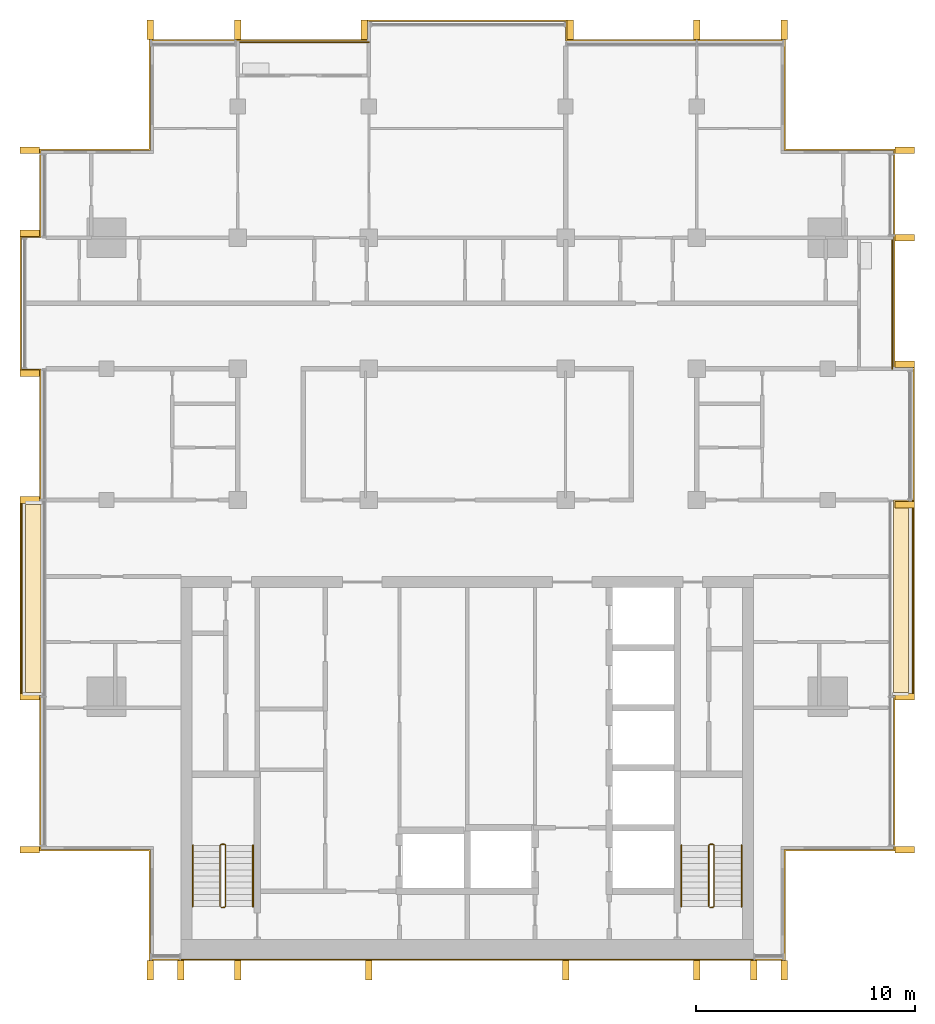
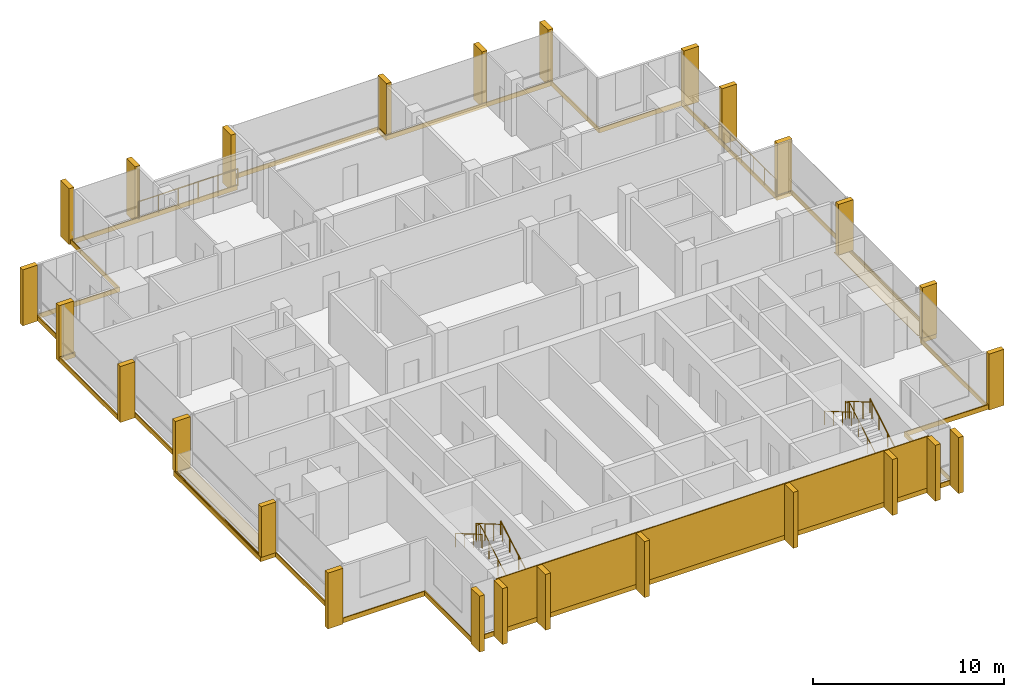
# One storey, part 16 of 16: 26 shading devices, 10 coverings, 8 railings.
"""IFC4 building model written with IfcOpenShell, lengths in metres."""

from ifc_helpers import new_model, si_unit, direction, frame, origin, origin_2d, place, context, subcontext, project, spatial, polyline, rectangle, circle, outline, extrude, material, layer, layer_set, type_object, element, save


model = new_model("IFC4")

# Units and contexts
model_context = context("Model", 3, precision=1e-05, world=origin(), true_north=direction((0.0, 1.0)))
body_context = subcontext(model_context, "Body", "Model", "MODEL_VIEW")
ifc_project = project(units=[si_unit("LENGTHUNIT", "METRE"), si_unit("AREAUNIT", "SQUARE_METRE"), si_unit("VOLUMEUNIT", "CUBIC_METRE"), si_unit("PLANEANGLEUNIT", "RADIAN"), si_unit("MASSUNIT", "GRAM", prefix="KILO")], contexts=[model_context])

# Site, building, storey
site_placement = place(None, origin())
site = spatial("IfcSite", under=ifc_project, at=site_placement, CompositionType="ELEMENT")
building_placement = place(site_placement, origin())
building = spatial("IfcBuilding", under=site, at=building_placement, Name="Finial Court Residences", CompositionType="ELEMENT")
storey_placement = place(building_placement, frame((0.0, 0.0, 280.699951171875)))
storey = spatial("IfcBuildingStorey", under=building, at=storey_placement, Name="L71", CompositionType="ELEMENT", Elevation=280.699951171875)

# Railings
ifc_material_1 = material(Name="Bronze anodised aluminium", Category="aluminium")
railing_type_1 = type_object("IfcRailingType", Name="Balcony guard 1100", PredefinedType="GUARDRAIL", material=ifc_material_1)
railing_1_placement = place(storey_placement, frame((-10.5, 16.449951171875, 0.0)))
element("IfcRailing", 1, at=railing_1_placement, inside=storey, type_object=railing_type_1, Name="E-L71-BALN2-R", PredefinedType="GUARDRAIL", context=body_context, shape_type="SweptSolid", body=[
    extrude(circle(Radius=0.02392578125, at=origin_2d()), frame((0.0, 0.0, 1.076171875), z_axis=(1.0, 0.0, 0.0), x_axis=(0.0, 1.0, 0.0)), (0.0, 0.0, 1.0), 6.0),
    extrude(circle(Radius=0.02099609375, at=origin_2d()), origin(), (0.0, 0.0, 1.0), 1.052001953125),
    extrude(circle(Radius=0.02099609375, at=origin_2d()), frame((1.199951171875, 0.0, 0.0)), (0.0, 0.0, 1.0), 1.052001953125),
    extrude(circle(Radius=0.02099609375, at=origin_2d()), frame((2.39990234375, 0.0, 0.0)), (0.0, 0.0, 1.0), 1.052001953125),
    extrude(circle(Radius=0.02099609375, at=origin_2d()), frame((3.60009765625, 0.0, 0.0)), (0.0, 0.0, 1.0), 1.052001953125),
    extrude(circle(Radius=0.02099609375, at=origin_2d()), frame((4.800048828125, 0.0, 0.0)), (0.0, 0.0, 1.0), 1.052001953125),
    extrude(circle(Radius=0.02099609375, at=origin_2d()), frame((6.0, 0.0, 0.0)), (0.0, 0.0, 1.0), 1.052001953125),
])
railing_2_placement = place(storey_placement, frame((19.449951171875, 1.5, 0.0)))
element("IfcRailing", 2, at=railing_2_placement, inside=storey, type_object=railing_type_1, Name="E-L71-BALE4-R", PredefinedType="GUARDRAIL", context=body_context, shape_type="SweptSolid", body=[
    extrude(circle(Radius=0.02392578125, at=origin_2d()), frame((0.0, 0.0, 1.076171875), z_axis=(0.0, 1.0, 0.0), x_axis=(-1.0, 0.0, 0.0)), (0.0, 0.0, 1.0), 6.0),
    extrude(circle(Radius=0.02099609375, at=origin_2d()), origin(), (0.0, 0.0, 1.0), 1.052001953125),
    extrude(circle(Radius=0.02099609375, at=origin_2d()), frame((0.0, 1.199951171875, 0.0)), (0.0, 0.0, 1.0), 1.052001953125),
    extrude(circle(Radius=0.02099609375, at=origin_2d()), frame((0.0, 2.39990234375, 0.0)), (0.0, 0.0, 1.0), 1.052001953125),
    extrude(circle(Radius=0.02099609375, at=origin_2d()), frame((0.0, 3.60009765625, 0.0)), (0.0, 0.0, 1.0), 1.052001953125),
    extrude(circle(Radius=0.02099609375, at=origin_2d()), frame((0.0, 4.800048828125, 0.0)), (0.0, 0.0, 1.0), 1.052001953125),
    extrude(circle(Radius=0.02099609375, at=origin_2d()), frame((0.0, 6.0, 0.0)), (0.0, 0.0, 1.0), 1.052001953125),
])

# Coverings
ifc_material_2 = material(Name="Natural limestone", Category="masonry")
ifc_layer_1 = layer(ifc_material_2, 0.06005859375)
ifc_layer_set_1 = layer_set([ifc_layer_1], Name="Limestone cladding to the blind core face 60")
covering_type_1 = type_object("IfcCoveringType", Name="Limestone cladding to the blind core face 60", PredefinedType="CLADDING", material=ifc_layer_set_1)
covering_1_placement = place(storey_placement, origin())
element("IfcCovering", 3, at=covering_1_placement, inside=storey, type_object=covering_type_1, Name="E-L71-CLAD1", PredefinedType="CLADDING", context=body_context, shape_type="SweptSolid", body=[
    extrude(outline(polyline([(-10.5, -25.56005859375), (-10.5, -25.5), (-13.10009765625, -25.5), (-13.10009765625, -25.56005859375), (-10.5, -25.56005859375)])), origin(), (0.0, 0.0, 1.0), 3.300048828125),
])
covering_2_placement = place(storey_placement, origin())
element("IfcCovering", 4, at=covering_2_placement, inside=storey, type_object=covering_type_1, Name="E-L71-CLAD2", PredefinedType="CLADDING", context=body_context, shape_type="SweptSolid", body=[
    extrude(outline(polyline([(-4.5, -25.56005859375), (-4.5, -25.5), (-10.5, -25.5), (-10.5, -25.56005859375), (-4.5, -25.56005859375)])), origin(), (0.0, 0.0, 1.0), 3.300048828125),
])
covering_3_placement = place(storey_placement, origin())
element("IfcCovering", 5, at=covering_3_placement, inside=storey, type_object=covering_type_1, Name="E-L71-CLAD3", PredefinedType="CLADDING", context=body_context, shape_type="SweptSolid", body=[
    extrude(outline(polyline([(4.5, -25.56005859375), (4.5, -25.5), (-4.5, -25.5), (-4.5, -25.56005859375), (4.5, -25.56005859375)])), origin(), (0.0, 0.0, 1.0), 3.300048828125),
])
covering_4_placement = place(storey_placement, origin())
element("IfcCovering", 6, at=covering_4_placement, inside=storey, type_object=covering_type_1, Name="E-L71-CLAD4", PredefinedType="CLADDING", context=body_context, shape_type="SweptSolid", body=[
    extrude(outline(polyline([(10.5, -25.56005859375), (10.5, -25.5), (4.5, -25.5), (4.5, -25.56005859375), (10.5, -25.56005859375)])), origin(), (0.0, 0.0, 1.0), 3.300048828125),
])
covering_5_placement = place(storey_placement, origin())
element("IfcCovering", 7, at=covering_5_placement, inside=storey, type_object=covering_type_1, Name="E-L71-CLAD5", PredefinedType="CLADDING", context=body_context, shape_type="SweptSolid", body=[
    extrude(outline(polyline([(13.10009765625, -25.56005859375), (13.10009765625, -25.5), (10.5, -25.5), (10.5, -25.56005859375), (13.10009765625, -25.56005859375)])), origin(), (0.0, 0.0, 1.0), 3.300048828125),
])

# Shading devices
shading_device_type = type_object("IfcShadingDeviceType", Name="Limestone fin 300 x 900", PredefinedType="USERDEFINED", material=ifc_material_2)
for number, where, z_axis, x_axis, name in (
    (8, (-14.5, 17.010009765625, -0.300048828125), (0.0, 0.0, 1.0), (1.0, 0.0, 0.0), "E-L71-FIN-N1"),
    (9, (-10.5, 17.010009765625, -0.300048828125), (0.0, 0.0, 1.0), (1.0, 0.0, 0.0), "E-L71-FIN-N2"),
    (10, (-4.7099609375, 17.010009765625, -0.300048828125), (0.0, 0.0, 1.0), (1.0, 0.0, 0.0), "E-L71-FIN-N3"),
    (11, (4.7099609375, 17.010009765625, -0.300048828125), (0.0, 0.0, 1.0), (1.0, 0.0, 0.0), "E-L71-FIN-N4"),
    (12, (10.5, 17.010009765625, -0.300048828125), (0.0, 0.0, 1.0), (1.0, 0.0, 0.0), "E-L71-FIN-N5"),
    (13, (14.5, 17.010009765625, -0.300048828125), (0.0, 0.0, 1.0), (1.0, 0.0, 0.0), "E-L71-FIN-N6"),
):
    element("IfcShadingDevice", number, at=place(storey_placement, frame(where, z_axis=z_axis, x_axis=x_axis)), inside=storey, type_object=shading_device_type, Name=name, ObjectType="FIN", PredefinedType="USERDEFINED", context=body_context, shape_type="SweptSolid", body=[
        extrude(rectangle(XDim=0.300048828125, YDim=0.89990234375, at=origin_2d()), origin(), (0.0, 0.0, 1.0), 3.580078125),
    ])
shading_device_1_placement = place(storey_placement, frame((20.010009765625, -20.5, -0.300048828125), z_axis=(0.0, 0.0, 1.0), x_axis=(1.0, 0.0, 0.0)))
element("IfcShadingDevice", 14, at=shading_device_1_placement, inside=storey, type_object=shading_device_type, Name="E-L71-FIN-E7", ObjectType="FIN", PredefinedType="USERDEFINED", context=body_context, shape_type="SweptSolid", body=[
    extrude(rectangle(XDim=0.89990234375, YDim=0.300048828125, at=origin_2d()), origin(), (0.0, 0.0, 1.0), 3.580078125),
])
for number, where, z_axis, x_axis, name in (
    (15, (20.010009765625, -13.5, 0.0400390625), (0.0, 0.0, 1.0), (1.0, 0.0, 0.0), "E-L71-FIN-E8"),
    (16, (20.010009765625, -4.7099609375, 0.0400390625), (0.0, 0.0, 1.0), (1.0, 0.0, 0.0), "E-L71-FIN-E9"),
):
    element("IfcShadingDevice", number, at=place(storey_placement, frame(where, z_axis=z_axis, x_axis=x_axis)), inside=storey, type_object=shading_device_type, Name=name, ObjectType="FIN", PredefinedType="USERDEFINED", context=body_context, shape_type="SweptSolid", body=[
        extrude(rectangle(XDim=0.89990234375, YDim=0.300048828125, at=origin_2d()), origin(), (0.0, 0.0, 1.0), 3.239990234375),
    ])
for number, where, z_axis, x_axis, name in (
    (17, (20.010009765625, 1.7099609375, -0.300048828125), (0.0, 0.0, 1.0), (1.0, 0.0, 0.0), "E-L71-FIN-E10"),
    (18, (20.010009765625, 7.5, -0.300048828125), (0.0, 0.0, 1.0), (1.0, 0.0, 0.0), "E-L71-FIN-E11"),
    (19, (20.010009765625, 11.5, -0.300048828125), (0.0, 0.0, 1.0), (1.0, 0.0, 0.0), "E-L71-FIN-E12"),
):
    element("IfcShadingDevice", number, at=place(storey_placement, frame(where, z_axis=z_axis, x_axis=x_axis)), inside=storey, type_object=shading_device_type, Name=name, ObjectType="FIN", PredefinedType="USERDEFINED", context=body_context, shape_type="SweptSolid", body=[
        extrude(rectangle(XDim=0.89990234375, YDim=0.300048828125, at=origin_2d()), origin(), (0.0, 0.0, 1.0), 3.580078125),
    ])
for number, where, z_axis, x_axis, name in (
    (20, (-14.5, -26.010009765625, -0.300048828125), (0.0, 0.0, 1.0), (1.0, 0.0, 0.0), "E-L71-FIN-S13"),
    (21, (-13.10009765625, -26.010009765625, -0.300048828125), (0.0, 0.0, 1.0), (1.0, 0.0, 0.0), "E-L71-FIN-S14"),
    (22, (-10.5, -26.010009765625, -0.300048828125), (0.0, 0.0, 1.0), (1.0, 0.0, 0.0), "E-L71-FIN-S15"),
    (23, (-4.5, -26.010009765625, -0.300048828125), (0.0, 0.0, 1.0), (1.0, 0.0, 0.0), "E-L71-FIN-S16"),
    (24, (4.5, -26.010009765625, -0.300048828125), (0.0, 0.0, 1.0), (1.0, 0.0, 0.0), "E-L71-FIN-S17"),
    (25, (10.5, -26.010009765625, -0.300048828125), (0.0, 0.0, 1.0), (1.0, 0.0, 0.0), "E-L71-FIN-S18"),
    (26, (13.10009765625, -26.010009765625, -0.300048828125), (0.0, 0.0, 1.0), (1.0, 0.0, 0.0), "E-L71-FIN-S19"),
    (27, (14.5, -26.010009765625, -0.300048828125), (0.0, 0.0, 1.0), (1.0, 0.0, 0.0), "E-L71-FIN-S20"),
):
    element("IfcShadingDevice", number, at=place(storey_placement, frame(where, z_axis=z_axis, x_axis=x_axis)), inside=storey, type_object=shading_device_type, Name=name, ObjectType="FIN", PredefinedType="USERDEFINED", context=body_context, shape_type="SweptSolid", body=[
        extrude(rectangle(XDim=0.300048828125, YDim=0.89990234375, at=origin_2d()), origin(), (0.0, 0.0, 1.0), 3.580078125),
    ])
shading_device_2_placement = place(storey_placement, frame((-20.010009765625, -20.5, -0.300048828125), z_axis=(0.0, 0.0, 1.0), x_axis=(1.0, 0.0, 0.0)))
element("IfcShadingDevice", 28, at=shading_device_2_placement, inside=storey, type_object=shading_device_type, Name="E-L71-FIN-W21", ObjectType="FIN", PredefinedType="USERDEFINED", context=body_context, shape_type="SweptSolid", body=[
    extrude(rectangle(XDim=0.89990234375, YDim=0.300048828125, at=origin_2d()), origin(), (0.0, 0.0, 1.0), 3.580078125),
])
for number, where, z_axis, x_axis, name in (
    (29, (-20.010009765625, -13.5, 0.0400390625), (0.0, 0.0, 1.0), (1.0, 0.0, 0.0), "E-L71-FIN-W22"),
    (30, (-20.010009765625, -4.5, 0.0400390625), (0.0, 0.0, 1.0), (1.0, 0.0, 0.0), "E-L71-FIN-W23"),
):
    element("IfcShadingDevice", number, at=place(storey_placement, frame(where, z_axis=z_axis, x_axis=x_axis)), inside=storey, type_object=shading_device_type, Name=name, ObjectType="FIN", PredefinedType="USERDEFINED", context=body_context, shape_type="SweptSolid", body=[
        extrude(rectangle(XDim=0.89990234375, YDim=0.300048828125, at=origin_2d()), origin(), (0.0, 0.0, 1.0), 3.239990234375),
    ])
for number, where, z_axis, x_axis, name in (
    (31, (-20.010009765625, 1.2900390625, -0.300048828125), (0.0, 0.0, 1.0), (1.0, 0.0, 0.0), "E-L71-FIN-W24"),
    (32, (-20.010009765625, 7.7099609375, -0.300048828125), (0.0, 0.0, 1.0), (1.0, 0.0, 0.0), "E-L71-FIN-W25"),
    (33, (-20.010009765625, 11.5, -0.300048828125), (0.0, 0.0, 1.0), (1.0, 0.0, 0.0), "E-L71-FIN-W26"),
):
    element("IfcShadingDevice", number, at=place(storey_placement, frame(where, z_axis=z_axis, x_axis=x_axis)), inside=storey, type_object=shading_device_type, Name=name, ObjectType="FIN", PredefinedType="USERDEFINED", context=body_context, shape_type="SweptSolid", body=[
        extrude(rectangle(XDim=0.89990234375, YDim=0.300048828125, at=origin_2d()), origin(), (0.0, 0.0, 1.0), 3.580078125),
    ])

# Coverings
ifc_material_3 = material(Name="Pale limestone", Category="masonry")
ifc_layer_2 = layer(ifc_material_3, 0.06005859375)
ifc_layer_set_2 = layer_set([ifc_layer_2], Name="Pale limestone slab-edge band 60")
covering_type_2 = type_object("IfcCoveringType", Name="Pale limestone slab-edge band 60", PredefinedType="CLADDING", material=ifc_layer_set_2)
covering_6_placement = place(storey_placement, frame((0.0, 0.0, -0.300048828125)))
element("IfcCovering", 34, at=covering_6_placement, inside=storey, type_object=covering_type_2, Name="E-L71-BAND1", PredefinedType="CLADDING", context=body_context, shape_type="SweptSolid", body=[
    extrude(outline(polyline([(-20.4599609375, -4.43994140625), (-19.56005859375, -4.43994140625), (-19.56005859375, 1.43994140625), (-20.4599609375, 1.43994140625), (-20.4599609375, 7.56005859375), (-19.56005859375, 7.56005859375), (-19.56005859375, 11.56005859375), (-14.56005859375, 11.56005859375), (-14.56005859375, 16.56005859375), (-4.56005859375, 16.56005859375), (-4.56005859375, 17.4599609375), (4.56005859375, 17.4599609375), (4.56005859375, 16.56005859375), (14.56005859375, 16.56005859375), (14.56005859375, 11.56005859375), (19.56005859375, 11.56005859375), (19.56005859375, 1.56005859375), (20.4599609375, 1.56005859375), (20.4599609375, -13.56005859375), (19.56005859375, -13.56005859375), (19.56005859375, -20.56005859375), (14.56005859375, -20.56005859375), (14.56005859375, -25.56005859375), (-14.56005859375, -25.56005859375), (-14.56005859375, -20.56005859375), (-19.56005859375, -20.56005859375), (-19.56005859375, -13.56005859375), (-20.4599609375, -13.56005859375), (-20.4599609375, -4.43994140625)]), holes=[polyline([(-19.5, -13.5), (-19.5, -20.5), (-14.5, -20.5), (-14.5, -25.5), (14.5, -25.5), (14.5, -20.5), (19.5, -20.5), (19.5, -13.5), (20.39990234375, -13.5), (20.39990234375, -4.5), (20.39990234375, 1.5), (19.5, 1.5), (19.5, 7.5), (19.5, 11.5), (14.5, 11.5), (14.5, 16.5), (4.5, 16.5), (4.5, 17.39990234375), (-4.5, 17.39990234375), (-4.5, 16.5), (-10.5, 16.5), (-14.5, 16.5), (-14.5, 11.5), (-19.5, 11.5), (-19.5, 7.5), (-20.39990234375, 7.5), (-20.39990234375, 1.5), (-19.5, 1.5), (-19.5, -4.5), (-20.39990234375, -4.5), (-20.39990234375, -13.5), (-19.5, -13.5)])]), origin(), (0.0, 0.0, 1.0), 0.300048828125),
])
ifc_material_4 = material(Name="Bitumen membrane")
ifc_layer_3 = layer(ifc_material_4, 0.0400390625)
ifc_layer_set_3 = layer_set([ifc_layer_3], Name="Push box roofing, bitumen membrane 40")
covering_type_3 = type_object("IfcCoveringType", Name="Push box roofing, bitumen membrane 40", PredefinedType="ROOFING", material=ifc_layer_set_3)
covering_7_placement = place(storey_placement, origin())
element("IfcCovering", 35, at=covering_7_placement, inside=storey, type_object=covering_type_3, Name="E-L71-LED1", PredefinedType="ROOFING", context=body_context, shape_type="SweptSolid", body=[
    extrude(outline(polyline([(19.5, -13.449951171875), (20.199951171875, -13.449951171875), (20.35009765625, -13.449951171875), (20.35009765625, -4.5), (20.39990234375, -4.5), (20.39990234375, -13.5), (19.5, -13.5), (19.5, -13.449951171875)])), origin(), (0.0, 0.0, 1.0), 0.0400390625),
])
covering_8_placement = place(storey_placement, origin())
element("IfcCovering", 36, at=covering_8_placement, inside=storey, type_object=covering_type_3, Name="E-L71-LED1b", PredefinedType="ROOFING", context=body_context, shape_type="SweptSolid", body=[
    extrude(outline(polyline([(19.5, -4.5), (20.199951171875, -4.5), (20.199951171875, -13.300048828125), (19.5, -13.300048828125), (19.5, -4.5)])), origin(), (0.0, 0.0, 1.0), 0.0400390625),
])
covering_9_placement = place(storey_placement, origin())
element("IfcCovering", 37, at=covering_9_placement, inside=storey, type_object=covering_type_3, Name="E-L71-LED2", PredefinedType="ROOFING", context=body_context, shape_type="SweptSolid", body=[
    extrude(outline(polyline([(-19.5, -4.550048828125), (-20.199951171875, -4.550048828125), (-20.35009765625, -4.550048828125), (-20.35009765625, -13.300048828125), (-20.35009765625, -13.300048828125), (-20.35009765625, -13.449951171875), (-19.5, -13.449951171875), (-19.5, -13.5), (-20.39990234375, -13.5), (-20.39990234375, -4.5), (-19.5, -4.5), (-19.5, -4.550048828125)])), origin(), (0.0, 0.0, 1.0), 0.0400390625),
])
covering_10_placement = place(storey_placement, origin())
element("IfcCovering", 38, at=covering_10_placement, inside=storey, type_object=covering_type_3, Name="E-L71-LED2b", PredefinedType="ROOFING", context=body_context, shape_type="SweptSolid", body=[
    extrude(outline(polyline([(-19.5, -13.300048828125), (-20.199951171875, -13.300048828125), (-20.199951171875, -4.699951171875), (-19.5, -4.699951171875), (-19.5, -13.300048828125)])), origin(), (0.0, 0.0, 1.0), 0.0400390625),
])

# Railings
ifc_material_5 = material(Name="Stainless steel railing", Category="steel")
railing_type_2 = type_object("IfcRailingType", Name="Stair guard 1100", PredefinedType="GUARDRAIL", material=ifc_material_5)
railing_3_placement = place(storey_placement, frame((-11.10009765625, -23.14990234375, 0.0)))
element("IfcRailing", 39, at=railing_3_placement, inside=storey, type_object=railing_type_2, Name="L71 ST-1 stair guard 1", PredefinedType="GUARDRAIL", context=body_context, shape_type="SweptSolid", body=[
    extrude(circle(Radius=0.02392578125, at=origin_2d()), frame((0.0, 0.0, 1.076171875), z_axis=(-1.0, 0.0, 0.0), x_axis=(0.0, -1.0, 0.0)), (0.0, 0.0, 1.0), 0.14990234375),
    extrude(circle(Radius=0.02392578125, at=origin_2d()), frame((-0.14990234375, 0.0, 1.076171875), z_axis=(0.760004195007, 0.189305074214, 0.621737253547), x_axis=(-0.241699205484, 0.970351222016, 0.0)), (0.0, 0.0, 1.0), 0.26318359375),
    extrude(circle(Radius=0.02392578125, at=origin_2d()), frame((0.050048828125, 0.0498046875, 1.23974609375), z_axis=(0.0, 0.863360870873, 0.504586966384), x_axis=(-1.0, 0.0, 0.0)), (0.0, 0.0, 1.0), 3.2431640625),
    extrude(circle(Radius=0.02392578125, at=origin_2d()), frame((0.050048828125, 2.849853515625, 2.8759765625), z_axis=(-0.707106781187, 0.707106781187, 0.0), x_axis=(-0.707106781187, -0.707106781187, 0.0)), (0.0, 0.0, 1.0), 0.07080078125),
    extrude(circle(Radius=0.02392578125, at=origin_2d()), frame((0.0, 2.89990234375, 2.8759765625), z_axis=(-1.0, 0.0, 0.0), x_axis=(0.0, -1.0, 0.0)), (0.0, 0.0, 1.0), 0.14990234375),
    extrude(circle(Radius=0.02392578125, at=origin_2d()), frame((-0.14990234375, 2.89990234375, 2.8759765625), z_axis=(-0.280808744504, -0.280808744504, 0.917765164963), x_axis=(0.707106781187, -0.707106781187, 0.0)), (0.0, 0.0, 1.0), 0.17822265625),
    extrude(circle(Radius=0.02392578125, at=origin_2d()), frame((-0.199951171875, 2.849853515625, 3.03955078125), z_axis=(0.0, -0.863360870873, 0.504586966384), x_axis=(1.0, 0.0, 0.0)), (0.0, 0.0, 1.0), 3.2431640625),
    extrude(circle(Radius=0.02099609375, at=origin_2d()), origin(), (0.0, 0.0, 1.0), 1.052001953125),
    extrude(circle(Radius=0.02099609375, at=origin_2d()), frame((-0.14990234375, 0.0, 0.0)), (0.0, 0.0, 1.0), 1.052001953125),
    extrude(circle(Radius=0.02099609375, at=origin_2d()), frame((0.050048828125, 0.0498046875, 0.16357421875)), (0.0, 0.0, 1.0), 1.052001953125),
    extrude(circle(Radius=0.02099609375, at=origin_2d()), frame((0.050048828125, 0.983154296875, 0.708984375)), (0.0, 0.0, 1.0), 1.052001953125),
    extrude(circle(Radius=0.02099609375, at=origin_2d()), frame((0.050048828125, 1.91650390625, 1.254638671875)), (0.0, 0.0, 1.0), 1.052001953125),
    extrude(circle(Radius=0.02099609375, at=origin_2d()), frame((0.050048828125, 2.849853515625, 1.800048828125)), (0.0, 0.0, 1.0), 1.052001953125),
    extrude(circle(Radius=0.02099609375, at=origin_2d()), frame((0.0, 2.89990234375, 1.800048828125)), (0.0, 0.0, 1.0), 1.052001953125),
    extrude(circle(Radius=0.02099609375, at=origin_2d()), frame((-0.14990234375, 2.89990234375, 1.800048828125)), (0.0, 0.0, 1.0), 1.052001953125),
    extrude(circle(Radius=0.02099609375, at=origin_2d()), frame((-0.199951171875, 2.849853515625, 1.963623046875)), (0.0, 0.0, 1.0), 1.052001953125),
    extrude(circle(Radius=0.02099609375, at=origin_2d()), frame((-0.199951171875, 1.91650390625, 2.509033203125)), (0.0, 0.0, 1.0), 1.052001953125),
    extrude(circle(Radius=0.02099609375, at=origin_2d()), frame((-0.199951171875, 0.983154296875, 3.0546875)), (0.0, 0.0, 1.0), 1.052001953125),
    extrude(circle(Radius=0.02099609375, at=origin_2d()), frame((-0.199951171875, 0.0498046875, 3.60009765625)), (0.0, 0.0, 1.0), 1.052001953125),
])
railing_4_placement = place(storey_placement, frame((11.25, -23.14990234375, 0.0)))
element("IfcRailing", 40, at=railing_4_placement, inside=storey, type_object=railing_type_2, Name="L71 ST-2 stair guard 1", PredefinedType="GUARDRAIL", context=body_context, shape_type="SweptSolid", body=[
    extrude(circle(Radius=0.02392578125, at=origin_2d()), frame((0.0, 0.0, 1.076171875), z_axis=(-1.0, 0.0, 0.0), x_axis=(0.0, -1.0, 0.0)), (0.0, 0.0, 1.0), 0.14990234375),
    extrude(circle(Radius=0.02392578125, at=origin_2d()), frame((-0.14990234375, 0.0, 1.076171875), z_axis=(0.760004195007, 0.189305074214, 0.621737253547), x_axis=(-0.241699205484, 0.970351222016, 0.0)), (0.0, 0.0, 1.0), 0.26318359375),
    extrude(circle(Radius=0.02392578125, at=origin_2d()), frame((0.050048828125, 0.0498046875, 1.23974609375), z_axis=(0.0, 0.863360870873, 0.504586966384), x_axis=(-1.0, 0.0, 0.0)), (0.0, 0.0, 1.0), 3.2431640625),
    extrude(circle(Radius=0.02392578125, at=origin_2d()), frame((0.050048828125, 2.849853515625, 2.8759765625), z_axis=(-0.707106781187, 0.707106781187, 0.0), x_axis=(-0.707106781187, -0.707106781187, 0.0)), (0.0, 0.0, 1.0), 0.07080078125),
    extrude(circle(Radius=0.02392578125, at=origin_2d()), frame((0.0, 2.89990234375, 2.8759765625), z_axis=(-1.0, 0.0, 0.0), x_axis=(0.0, -1.0, 0.0)), (0.0, 0.0, 1.0), 0.14990234375),
    extrude(circle(Radius=0.02392578125, at=origin_2d()), frame((-0.14990234375, 2.89990234375, 2.8759765625), z_axis=(-0.280808744504, -0.280808744504, 0.917765164963), x_axis=(0.707106781187, -0.707106781187, 0.0)), (0.0, 0.0, 1.0), 0.17822265625),
    extrude(circle(Radius=0.02392578125, at=origin_2d()), frame((-0.199951171875, 2.849853515625, 3.03955078125), z_axis=(0.0, -0.863360870873, 0.504586966384), x_axis=(1.0, 0.0, 0.0)), (0.0, 0.0, 1.0), 3.2431640625),
    extrude(circle(Radius=0.02099609375, at=origin_2d()), origin(), (0.0, 0.0, 1.0), 1.052001953125),
    extrude(circle(Radius=0.02099609375, at=origin_2d()), frame((-0.14990234375, 0.0, 0.0)), (0.0, 0.0, 1.0), 1.052001953125),
    extrude(circle(Radius=0.02099609375, at=origin_2d()), frame((0.050048828125, 0.0498046875, 0.16357421875)), (0.0, 0.0, 1.0), 1.052001953125),
    extrude(circle(Radius=0.02099609375, at=origin_2d()), frame((0.050048828125, 0.983154296875, 0.708984375)), (0.0, 0.0, 1.0), 1.052001953125),
    extrude(circle(Radius=0.02099609375, at=origin_2d()), frame((0.050048828125, 1.91650390625, 1.254638671875)), (0.0, 0.0, 1.0), 1.052001953125),
    extrude(circle(Radius=0.02099609375, at=origin_2d()), frame((0.050048828125, 2.849853515625, 1.800048828125)), (0.0, 0.0, 1.0), 1.052001953125),
    extrude(circle(Radius=0.02099609375, at=origin_2d()), frame((0.0, 2.89990234375, 1.800048828125)), (0.0, 0.0, 1.0), 1.052001953125),
    extrude(circle(Radius=0.02099609375, at=origin_2d()), frame((-0.14990234375, 2.89990234375, 1.800048828125)), (0.0, 0.0, 1.0), 1.052001953125),
    extrude(circle(Radius=0.02099609375, at=origin_2d()), frame((-0.199951171875, 2.849853515625, 1.963623046875)), (0.0, 0.0, 1.0), 1.052001953125),
    extrude(circle(Radius=0.02099609375, at=origin_2d()), frame((-0.199951171875, 1.91650390625, 2.509033203125)), (0.0, 0.0, 1.0), 1.052001953125),
    extrude(circle(Radius=0.02099609375, at=origin_2d()), frame((-0.199951171875, 0.983154296875, 3.0546875)), (0.0, 0.0, 1.0), 1.052001953125),
    extrude(circle(Radius=0.02099609375, at=origin_2d()), frame((-0.199951171875, 0.0498046875, 3.60009765625)), (0.0, 0.0, 1.0), 1.052001953125),
])
railing_type_3 = type_object("IfcRailingType", Name="Stair handrail 900", PredefinedType="HANDRAIL", material=ifc_material_5)
railing_5_placement = place(storey_placement, frame((-9.800048828125, -23.10009765625, 0.16357421875)))
element("IfcRailing", 41, at=railing_5_placement, inside=storey, type_object=railing_type_3, Name="L71 ST-1 stair handrail 1", PredefinedType="HANDRAIL", context=body_context, shape_type="SweptSolid", body=[
    extrude(circle(Radius=0.02392578125, at=origin_2d()), frame((0.0, 0.0, 0.8759765625), z_axis=(0.0, 0.863360870873, 0.504586966384), x_axis=(-1.0, 0.0, 0.0)), (0.0, 0.0, 1.0), 3.2431640625),
    extrude(circle(Radius=0.02099609375, at=origin_2d()), origin(), (0.0, 0.0, 1.0), 0.851806640625),
    extrude(circle(Radius=0.02099609375, at=origin_2d()), frame((0.0, 0.933349609375, 0.54541015625)), (0.0, 0.0, 1.0), 0.851806640625),
    extrude(circle(Radius=0.02099609375, at=origin_2d()), frame((0.0, 1.86669921875, 1.091064453125)), (0.0, 0.0, 1.0), 0.851806640625),
    extrude(circle(Radius=0.02099609375, at=origin_2d()), frame((0.0, 2.800048828125, 1.636474609375)), (0.0, 0.0, 1.0), 0.851806640625),
])
railing_6_placement = place(storey_placement, frame((-12.550048828125, -20.300048828125, 1.963623046875)))
element("IfcRailing", 42, at=railing_6_placement, inside=storey, type_object=railing_type_3, Name="L71 ST-1 stair handrail 2", PredefinedType="HANDRAIL", context=body_context, shape_type="SweptSolid", body=[
    extrude(circle(Radius=0.02392578125, at=origin_2d()), frame((0.0, 0.0, 0.8759765625), z_axis=(0.0, -0.863360870873, 0.504586966384), x_axis=(1.0, 0.0, 0.0)), (0.0, 0.0, 1.0), 3.2431640625),
    extrude(circle(Radius=0.02099609375, at=origin_2d()), origin(), (0.0, 0.0, 1.0), 0.851806640625),
    extrude(circle(Radius=0.02099609375, at=origin_2d()), frame((0.0, -0.933349609375, 0.54541015625)), (0.0, 0.0, 1.0), 0.851806640625),
    extrude(circle(Radius=0.02099609375, at=origin_2d()), frame((0.0, -1.86669921875, 1.091064453125)), (0.0, 0.0, 1.0), 0.851806640625),
    extrude(circle(Radius=0.02099609375, at=origin_2d()), frame((0.0, -2.800048828125, 1.636474609375)), (0.0, 0.0, 1.0), 0.851806640625),
])
railing_7_placement = place(storey_placement, frame((12.550048828125, -23.10009765625, 0.16357421875)))
element("IfcRailing", 43, at=railing_7_placement, inside=storey, type_object=railing_type_3, Name="L71 ST-2 stair handrail 1", PredefinedType="HANDRAIL", context=body_context, shape_type="SweptSolid", body=[
    extrude(circle(Radius=0.02392578125, at=origin_2d()), frame((0.0, 0.0, 0.8759765625), z_axis=(0.0, 0.863360870873, 0.504586966384), x_axis=(-1.0, 0.0, 0.0)), (0.0, 0.0, 1.0), 3.2431640625),
    extrude(circle(Radius=0.02099609375, at=origin_2d()), origin(), (0.0, 0.0, 1.0), 0.851806640625),
    extrude(circle(Radius=0.02099609375, at=origin_2d()), frame((0.0, 0.933349609375, 0.54541015625)), (0.0, 0.0, 1.0), 0.851806640625),
    extrude(circle(Radius=0.02099609375, at=origin_2d()), frame((0.0, 1.86669921875, 1.091064453125)), (0.0, 0.0, 1.0), 0.851806640625),
    extrude(circle(Radius=0.02099609375, at=origin_2d()), frame((0.0, 2.800048828125, 1.636474609375)), (0.0, 0.0, 1.0), 0.851806640625),
])
railing_8_placement = place(storey_placement, frame((9.800048828125, -20.300048828125, 1.963623046875)))
element("IfcRailing", 44, at=railing_8_placement, inside=storey, type_object=railing_type_3, Name="L71 ST-2 stair handrail 2", PredefinedType="HANDRAIL", context=body_context, shape_type="SweptSolid", body=[
    extrude(circle(Radius=0.02392578125, at=origin_2d()), frame((0.0, 0.0, 0.8759765625), z_axis=(0.0, -0.863360870873, 0.504586966384), x_axis=(1.0, 0.0, 0.0)), (0.0, 0.0, 1.0), 3.2431640625),
    extrude(circle(Radius=0.02099609375, at=origin_2d()), origin(), (0.0, 0.0, 1.0), 0.851806640625),
    extrude(circle(Radius=0.02099609375, at=origin_2d()), frame((0.0, -0.933349609375, 0.54541015625)), (0.0, 0.0, 1.0), 0.851806640625),
    extrude(circle(Radius=0.02099609375, at=origin_2d()), frame((0.0, -1.86669921875, 1.091064453125)), (0.0, 0.0, 1.0), 0.851806640625),
    extrude(circle(Radius=0.02099609375, at=origin_2d()), frame((0.0, -2.800048828125, 1.636474609375)), (0.0, 0.0, 1.0), 0.851806640625),
])

save(model, "model.ifc")
